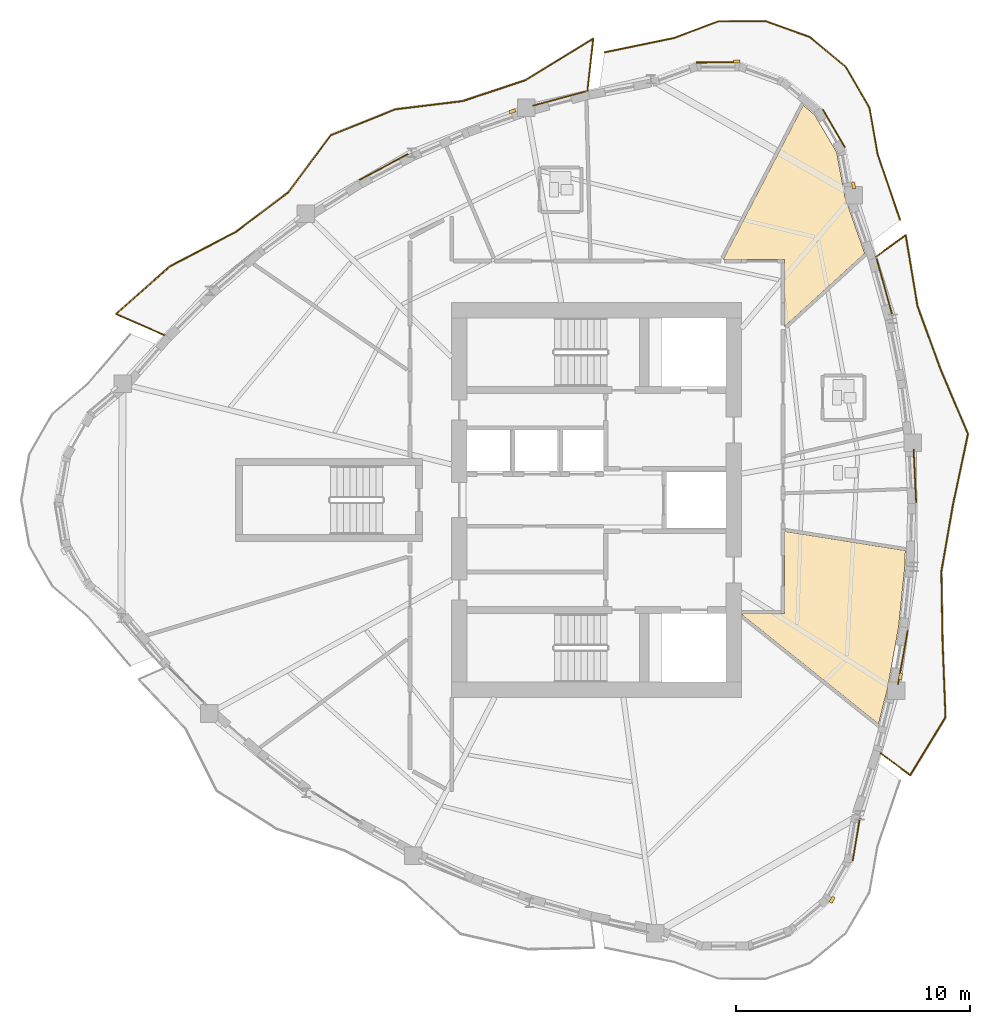
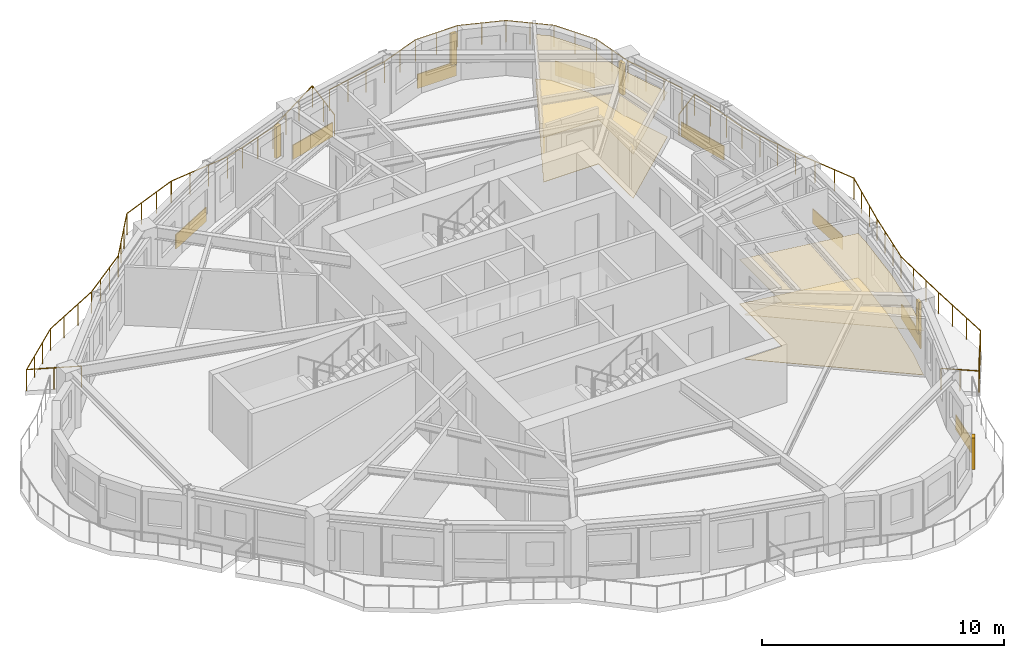
# One storey, part 12 of 13: 12 coverings, 5 shading devices, 3 railings.
"""IFC4 building model written with IfcOpenShell, lengths in metres."""

from ifc_helpers import new_model, si_unit, direction, frame, origin, origin_2d, place, context, subcontext, project, spatial, polyline, rectangle, circle, outline, extrude, source, transform, mapped, material, layer, layer_set, type_object, element, save


model = new_model("IFC4")

# Units and contexts
model_context = context("Model", 3, precision=1e-05, world=origin(), true_north=direction((0.0, 1.0)))
body_context = subcontext(model_context, "Body", "Model", "MODEL_VIEW")
ifc_project = project(units=[si_unit("LENGTHUNIT", "METRE"), si_unit("AREAUNIT", "SQUARE_METRE"), si_unit("VOLUMEUNIT", "CUBIC_METRE"), si_unit("PLANEANGLEUNIT", "RADIAN"), si_unit("MASSUNIT", "GRAM", prefix="KILO")], contexts=[model_context])

# Site, building, storey
site_placement = place(None, origin())
site = spatial("IfcSite", under=ifc_project, at=site_placement, CompositionType="ELEMENT")
building_placement = place(site_placement, origin())
building = spatial("IfcBuilding", under=site, at=building_placement, Name="Qafzar Sky-Pleat Residences", CompositionType="ELEMENT")
storey_placement = place(building_placement, frame((0.0, 0.0, 133.0)))
storey = spatial("IfcBuildingStorey", under=building, at=storey_placement, Name="L39", CompositionType="ELEMENT", Elevation=133.0)

# Coverings
ifc_material_1 = material(Name="Perforated acoustic gypsum board ceiling")
ifc_layer_1 = layer(ifc_material_1, 0.02001953125)
ifc_layer_set_1 = layer_set([ifc_layer_1], Name="Perforated acoustic gypsum board ceiling")
covering_type_1 = type_object("IfcCoveringType", Name="COV-CEIL-ACOUSTIC", PredefinedType="CEILING", material=ifc_layer_set_1)
covering_1_placement = place(storey_placement, frame((0.0, 0.0, 2.239990234375)))
element("IfcCovering", 1, at=covering_1_placement, inside=storey, type_object=covering_type_1, Name="L39 Co-Living Lounge Acoustic Ceiling", PredefinedType="CEILING", context=body_context, shape_type="SweptSolid", body=[
    extrude(outline(polyline([(43.5498046875, 23.17431640625), (43.27587890625, 20.546142578125), (42.80224609375, 17.91552734375), (42.419189453125, 16.41748046875), (36.610107421875, 21.066650390625), (36.610107421875, 21.139892578125), (38.389892578125, 21.139892578125), (38.389892578125, 24.65966796875), (43.568603515625, 23.835205078125), (43.5498046875, 23.17431640625)])), origin(), (0.0, 0.0, 1.0), 0.02001953125),
])
covering_2_placement = place(storey_placement, frame((0.0, 0.0, 2.239990234375)))
element("IfcCovering", 2, at=covering_2_placement, inside=storey, type_object=covering_type_1, Name="L39 Communal Kitchen Acoustic Ceiling", PredefinedType="CEILING", context=body_context, shape_type="SweptSolid", body=[
    extrude(outline(polyline([(39.68310546875, 42.493896484375), (40.62890625, 40.8828125), (40.98779296875, 38.948486328125), (41.8310546875, 36.55810546875), (38.389892578125, 33.41796875), (38.389892578125, 36.2900390625), (35.768310546875, 36.2900390625), (39.201904296875, 42.893310546875), (39.68310546875, 42.493896484375)])), origin(), (0.0, 0.0, 1.0), 0.02001953125),
])
ifc_material_2 = material(Name="Honed porcelain and Riyadh stone tile flooring", Category="masonry")
ifc_layer_2 = layer(ifc_material_2, 0.02001953125)
ifc_layer_set_2 = layer_set([ifc_layer_2], Name="Honed porcelain and Riyadh stone tile flooring")
covering_type_2 = type_object("IfcCoveringType", Name="COV-FLR-PORCELAIN", PredefinedType="FLOORING", material=ifc_layer_set_2)
covering_3_placement = place(storey_placement, origin())
element("IfcCovering", 3, at=covering_3_placement, inside=storey, type_object=covering_type_2, Name="L39 Co-Living Lounge Honed Stone Flooring", PredefinedType="FLOORING", context=body_context, shape_type="SweptSolid", body=[
    extrude(outline(polyline([(43.5498046875, 23.17431640625), (43.27587890625, 20.546142578125), (42.80224609375, 17.91552734375), (42.419189453125, 16.41748046875), (36.610107421875, 21.066650390625), (36.610107421875, 21.139892578125), (38.389892578125, 21.139892578125), (38.389892578125, 24.65966796875), (43.568603515625, 23.835205078125), (43.5498046875, 23.17431640625)])), origin(), (0.0, 0.0, 1.0), 0.02001953125),
])
covering_4_placement = place(storey_placement, origin())
element("IfcCovering", 4, at=covering_4_placement, inside=storey, type_object=covering_type_2, Name="L39 Communal Kitchen Honed Stone Flooring", PredefinedType="FLOORING", context=body_context, shape_type="SweptSolid", body=[
    extrude(outline(polyline([(39.68310546875, 42.493896484375), (40.62890625, 40.8828125), (40.98779296875, 38.948486328125), (41.8310546875, 36.55810546875), (38.389892578125, 33.41796875), (38.389892578125, 36.2900390625), (35.768310546875, 36.2900390625), (39.201904296875, 42.893310546875), (39.68310546875, 42.493896484375)])), origin(), (0.0, 0.0, 1.0), 0.02001953125),
])

# Shading devices
ifc_material_3 = material(Name="Honed Riyadh limestone solar fin", Category="masonry")
ifc_layer_3 = layer(ifc_material_3, 0.139892578125)
ifc_layer_set_3 = layer_set([ifc_layer_3], Name="Honed Riyadh limestone solar fin")
shading_device_type = type_object("IfcShadingDeviceType", Name="SHD-FIN-STONE", PredefinedType="SHUTTER", material=ifc_layer_set_3)
shared_shape_1 = source(origin(), body_context, "Body", "SweptSolid", [
    extrude(rectangle(XDim=0.139892578125, YDim=0.280029296875, at=origin_2d()), origin(), (0.0, 0.0, 1.0), 1.60009765625),
])
for number, where, z_axis, x_axis, name in (
    (5, (40.4375, 8.890380859375, 0.599853515625), (0.0, 0.0, 1.0), (0.868430786621, -0.495810416236, 0.0), "L39 Limestone Solar Fin 21"),
    (6, (43.360595703125, 18.4482421875, 0.599853515625), (0.0, 0.0, 1.0), (0.98417699891, -0.177188133958, 0.0), "L39 Limestone Solar Fin 25"),
    (7, (41.35400390625, 39.468505859375, 0.599853515625), (0.0, 0.0, 1.0), (0.983238323882, 0.182324980325, 0.0), "L39 Limestone Solar Fin 33"),
    (8, (36.35693359375, 44.7734375, 0.599853515625), (0.0, 0.0, 1.0), (-0.002443761091, 0.999997014011, 0.0), "L39 Limestone Solar Fin 37"),
    (9, (26.750244140625, 42.639892578125, 0.599853515625), (0.0, 0.0, 1.0), (-0.329555550412, 0.944136186783, 0.0), "L39 Limestone Solar Fin 41"),
):
    element("IfcShadingDevice", number, at=place(storey_placement, frame(where, z_axis=z_axis, x_axis=x_axis)), inside=storey, type_object=shading_device_type, Name=name, PredefinedType="SHUTTER", context=body_context, shape_type="MappedRepresentation", body=[
        mapped(shared_shape_1, transform((0.0, 0.0, 0.0), x_axis=(1.0, 0.0, 0.0), y_axis=(0.0, 1.0, 0.0), z_axis=(0.0, 0.0, 1.0), scale=1.0)),
    ])

# Railings
ifc_material_4 = material(Name="Laminated glass and bronze steel balustrade", Category="steel")
railing_type = type_object("IfcRailingType", Name="RAIL-BAL-1100", PredefinedType="BALUSTRADE", material=ifc_material_4)
shared_shape_2 = source(origin(), body_context, "Body", "SweptSolid", [
    extrude(circle(Radius=0.02392578125, at=origin_2d()), frame((0.0, 0.0, 1.076171875), z_axis=(0.801353404817, -0.598191207381, 0.0), x_axis=(0.598191207381, 0.801353404817, 0.0)), (0.0, 0.0, 1.0), 1.577880859375),
    extrude(circle(Radius=0.02392578125, at=origin_2d()), frame((1.264404296875, -0.94384765625, 1.076171875), z_axis=(0.520405615074, 0.853919197465, 0.0), x_axis=(-0.853919197465, 0.520405615074, 0.0)), (0.0, 0.0, 1.0), 2.904052734375),
    extrude(circle(Radius=0.02392578125, at=origin_2d()), frame((2.775634765625, 1.535888671875, 1.076171875), z_axis=(-0.038645555912, 0.999252981486, 0.0), x_axis=(-0.999252981486, -0.038645555912, 0.0)), (0.0, 0.0, 1.0), 3.26611328125),
    extrude(circle(Radius=0.02392578125, at=origin_2d()), frame((2.6494140625, 4.799560546875, 1.076171875), z_axis=(-0.017312356591, 0.999850129924, 0.0), x_axis=(-0.999850129924, -0.017312356591, 0.0)), (0.0, 0.0, 1.0), 2.9755859375),
    extrude(circle(Radius=0.02392578125, at=origin_2d()), frame((2.597900390625, 7.774658203125, 1.076171875), z_axis=(0.171045008682, 0.985263216103, 0.0), x_axis=(-0.985263216103, 0.171045008682, 0.0)), (0.0, 0.0, 1.0), 2.887451171875),
    extrude(circle(Radius=0.02392578125, at=origin_2d()), frame((3.091796875, 10.61962890625, 1.076171875), z_axis=(0.207848413756, 0.978161048549, 0.0), x_axis=(-0.978161048549, 0.207848413756, 0.0)), (0.0, 0.0, 1.0), 3.105712890625),
    extrude(circle(Radius=0.02392578125, at=origin_2d()), frame((3.7373046875, 13.657470703125, 1.076171875), z_axis=(-0.390327818076, 0.920675944313, 0.0), x_axis=(-0.920675944313, -0.390327818076, 0.0)), (0.0, 0.0, 1.0), 3.021728515625),
    extrude(circle(Radius=0.02392578125, at=origin_2d()), frame((2.557861328125, 16.439453125, 1.076171875), z_axis=(-0.342193439996, 0.939629527858, 0.0), x_axis=(-0.939629527858, -0.342193439996, 0.0)), (0.0, 0.0, 1.0), 2.872314453125),
    extrude(circle(Radius=0.02392578125, at=origin_2d()), frame((1.574951171875, 19.138427734375, 1.076171875), z_axis=(-0.163447252844, 0.986552074418, 0.0), x_axis=(-0.986552074418, -0.163447252844, 0.0)), (0.0, 0.0, 1.0), 3.07861328125),
    extrude(circle(Radius=0.02392578125, at=origin_2d()), frame((1.07177734375, 22.175537109375, 1.076171875), z_axis=(-0.808622343014, -0.588328060165, 0.0), x_axis=(0.588328060165, -0.808622343014, 0.0)), (0.0, 0.0, 1.0), 1.578125),
    extrude(circle(Radius=0.02099609375, at=origin_2d()), origin(), (0.0, 0.0, 1.0), 1.052001953125),
    extrude(circle(Radius=0.02099609375, at=origin_2d()), frame((0.63232421875, -0.471923828125, 0.0)), (0.0, 0.0, 1.0), 1.052001953125),
    extrude(circle(Radius=0.02099609375, at=origin_2d()), frame((1.264404296875, -0.94384765625, 0.0)), (0.0, 0.0, 1.0), 1.052001953125),
    extrude(circle(Radius=0.02099609375, at=origin_2d()), frame((1.76806640625, -0.1171875, 0.0)), (0.0, 0.0, 1.0), 1.052001953125),
    extrude(circle(Radius=0.02099609375, at=origin_2d()), frame((2.27197265625, 0.709228515625, 0.0)), (0.0, 0.0, 1.0), 1.052001953125),
    extrude(circle(Radius=0.02099609375, at=origin_2d()), frame((2.775634765625, 1.535888671875, 0.0)), (0.0, 0.0, 1.0), 1.052001953125),
    extrude(circle(Radius=0.02099609375, at=origin_2d()), frame((2.733642578125, 2.623779296875, 0.0)), (0.0, 0.0, 1.0), 1.052001953125),
    extrude(circle(Radius=0.02099609375, at=origin_2d()), frame((2.69140625, 3.711669921875, 0.0)), (0.0, 0.0, 1.0), 1.052001953125),
    extrude(circle(Radius=0.02099609375, at=origin_2d()), frame((2.6494140625, 4.799560546875, 0.0)), (0.0, 0.0, 1.0), 1.052001953125),
    extrude(circle(Radius=0.02099609375, at=origin_2d()), frame((2.63232421875, 5.791259765625, 0.0)), (0.0, 0.0, 1.0), 1.052001953125),
    extrude(circle(Radius=0.02099609375, at=origin_2d()), frame((2.614990234375, 6.782958984375, 0.0)), (0.0, 0.0, 1.0), 1.052001953125),
    extrude(circle(Radius=0.02099609375, at=origin_2d()), frame((2.597900390625, 7.774658203125, 0.0)), (0.0, 0.0, 1.0), 1.052001953125),
    extrude(circle(Radius=0.02099609375, at=origin_2d()), frame((2.762451171875, 8.722900390625, 0.0)), (0.0, 0.0, 1.0), 1.052001953125),
    extrude(circle(Radius=0.02099609375, at=origin_2d()), frame((2.92724609375, 9.67138671875, 0.0)), (0.0, 0.0, 1.0), 1.052001953125),
    extrude(circle(Radius=0.02099609375, at=origin_2d()), frame((3.091796875, 10.61962890625, 0.0)), (0.0, 0.0, 1.0), 1.052001953125),
    extrude(circle(Radius=0.02099609375, at=origin_2d()), frame((3.306884765625, 11.63232421875, 0.0)), (0.0, 0.0, 1.0), 1.052001953125),
    extrude(circle(Radius=0.02099609375, at=origin_2d()), frame((3.522216796875, 12.644775390625, 0.0)), (0.0, 0.0, 1.0), 1.052001953125),
    extrude(circle(Radius=0.02099609375, at=origin_2d()), frame((3.7373046875, 13.657470703125, 0.0)), (0.0, 0.0, 1.0), 1.052001953125),
    extrude(circle(Radius=0.02099609375, at=origin_2d()), frame((3.34423828125, 14.584716796875, 0.0)), (0.0, 0.0, 1.0), 1.052001953125),
    extrude(circle(Radius=0.02099609375, at=origin_2d()), frame((2.950927734375, 15.51220703125, 0.0)), (0.0, 0.0, 1.0), 1.052001953125),
    extrude(circle(Radius=0.02099609375, at=origin_2d()), frame((2.557861328125, 16.439453125, 0.0)), (0.0, 0.0, 1.0), 1.052001953125),
    extrude(circle(Radius=0.02099609375, at=origin_2d()), frame((2.230224609375, 17.339111328125, 0.0)), (0.0, 0.0, 1.0), 1.052001953125),
    extrude(circle(Radius=0.02099609375, at=origin_2d()), frame((1.902587890625, 18.23876953125, 0.0)), (0.0, 0.0, 1.0), 1.052001953125),
    extrude(circle(Radius=0.02099609375, at=origin_2d()), frame((1.574951171875, 19.138427734375, 0.0)), (0.0, 0.0, 1.0), 1.052001953125),
    extrude(circle(Radius=0.02099609375, at=origin_2d()), frame((1.4072265625, 20.15087890625, 0.0)), (0.0, 0.0, 1.0), 1.052001953125),
    extrude(circle(Radius=0.02099609375, at=origin_2d()), frame((1.239501953125, 21.1630859375, 0.0)), (0.0, 0.0, 1.0), 1.052001953125),
    extrude(circle(Radius=0.02099609375, at=origin_2d()), frame((1.07177734375, 22.175537109375, 0.0)), (0.0, 0.0, 1.0), 1.052001953125),
    extrude(circle(Radius=0.02099609375, at=origin_2d()), frame((0.43359375, 21.71142578125, 0.0)), (0.0, 0.0, 1.0), 1.052001953125),
    extrude(circle(Radius=0.02099609375, at=origin_2d()), frame((-0.204345703125, 21.2470703125, 0.0)), (0.0, 0.0, 1.0), 1.052001953125),
])
railing_1_placement = place(storey_placement, frame((42.512939453125, 15.164306640625, 0.0)))
element("IfcRailing", 10, at=railing_1_placement, inside=storey, type_object=railing_type, Name="L39 Pleated Balcony 1 Balustrade", PredefinedType="BALUSTRADE", context=body_context, shape_type="MappedRepresentation", body=[
    mapped(shared_shape_2, transform((0.0, 0.0, 0.0), x_axis=(1.0, 0.0, 0.0), y_axis=(0.0, 1.0, 0.0), z_axis=(0.0, 0.0, 1.0), scale=1.0)),
])
shared_shape_3 = source(origin(), body_context, "Body", "SweptSolid", [
    extrude(circle(Radius=0.02392578125, at=origin_2d()), frame((0.0, 0.0, 1.076171875), z_axis=(0.111375424683, 0.993778403255, 0.0), x_axis=(-0.993778403255, 0.111375424683, 0.0)), (0.0, 0.0, 1.0), 2.27099609375),
    extrude(circle(Radius=0.02392578125, at=origin_2d()), frame((0.2529296875, 2.2568359375, 1.076171875), z_axis=(-0.852424246602, -0.52285074716, 0.0), x_axis=(0.52285074716, -0.852424246602, 0.0)), (0.0, 0.0, 1.0), 3.41064453125),
    extrude(circle(Radius=0.02392578125, at=origin_2d()), frame((-2.654296875, 0.4736328125, 1.076171875), z_axis=(-0.948743463962, -0.316047211013, 0.0), x_axis=(0.316047211013, -0.948743463962, 0.0)), (0.0, 0.0, 1.0), 2.839599609375),
    extrude(circle(Radius=0.02392578125, at=origin_2d()), frame((-5.348388671875, -0.423828125, 1.076171875), z_axis=(-0.99263797052, -0.12111919535, 0.0), x_axis=(0.12111919535, -0.99263797052, 0.0)), (0.0, 0.0, 1.0), 2.896484375),
    extrude(circle(Radius=0.02392578125, at=origin_2d()), frame((-8.2236328125, -0.774658203125, 1.076171875), z_axis=(-0.92795936646, -0.372681384295, 0.0), x_axis=(0.372681384295, -0.92795936646, 0.0)), (0.0, 0.0, 1.0), 2.966796875),
    extrude(circle(Radius=0.02392578125, at=origin_2d()), frame((-10.976806640625, -1.88037109375, 1.076171875), z_axis=(-0.59768284632, -0.801732633248, 0.0), x_axis=(0.801732633248, -0.59768284632, 0.0)), (0.0, 0.0, 1.0), 3.0546875),
    extrude(circle(Radius=0.02392578125, at=origin_2d()), frame((-12.802490234375, -4.329345703125, 1.076171875), z_axis=(-0.798375377885, -0.602160075052, 0.0), x_axis=(0.602160075052, -0.798375377885, 0.0)), (0.0, 0.0, 1.0), 2.818115234375),
    extrude(circle(Radius=0.02392578125, at=origin_2d()), frame((-15.052490234375, -6.0263671875, 1.076171875), z_axis=(-0.887009097879, -0.461751946699, 0.0), x_axis=(0.461751946699, -0.887009097879, 0.0)), (0.0, 0.0, 1.0), 3.157470703125),
    extrude(circle(Radius=0.02392578125, at=origin_2d()), frame((-17.853271484375, -7.484375, 1.076171875), z_axis=(-0.749149940714, -0.662400457676, 0.0), x_axis=(0.662400457676, -0.749149940714, 0.0)), (0.0, 0.0, 1.0), 3.0986328125),
    extrude(circle(Radius=0.02392578125, at=origin_2d()), frame((-20.174560546875, -9.536865234375, 1.076171875), z_axis=(0.916307784316, -0.400474773739, 0.0), x_axis=(0.400474773739, 0.916307784316, 0.0)), (0.0, 0.0, 1.0), 2.270751953125),
    extrude(circle(Radius=0.02099609375, at=origin_2d()), origin(), (0.0, 0.0, 1.0), 1.052001953125),
    extrude(circle(Radius=0.02099609375, at=origin_2d()), frame((0.12646484375, 1.12841796875, 0.0)), (0.0, 0.0, 1.0), 1.052001953125),
    extrude(circle(Radius=0.02099609375, at=origin_2d()), frame((0.2529296875, 2.2568359375, 0.0)), (0.0, 0.0, 1.0), 1.052001953125),
    extrude(circle(Radius=0.02099609375, at=origin_2d()), frame((-0.716064453125, 1.662353515625, 0.0)), (0.0, 0.0, 1.0), 1.052001953125),
    extrude(circle(Radius=0.02099609375, at=origin_2d()), frame((-1.685302734375, 1.068115234375, 0.0)), (0.0, 0.0, 1.0), 1.052001953125),
    extrude(circle(Radius=0.02099609375, at=origin_2d()), frame((-2.654296875, 0.4736328125, 0.0)), (0.0, 0.0, 1.0), 1.052001953125),
    extrude(circle(Radius=0.02099609375, at=origin_2d()), frame((-3.55224609375, 0.174560546875, 0.0)), (0.0, 0.0, 1.0), 1.052001953125),
    extrude(circle(Radius=0.02099609375, at=origin_2d()), frame((-4.450439453125, -0.124755859375, 0.0)), (0.0, 0.0, 1.0), 1.052001953125),
    extrude(circle(Radius=0.02099609375, at=origin_2d()), frame((-5.348388671875, -0.423828125, 0.0)), (0.0, 0.0, 1.0), 1.052001953125),
    extrude(circle(Radius=0.02099609375, at=origin_2d()), frame((-6.306884765625, -0.540771484375, 0.0)), (0.0, 0.0, 1.0), 1.052001953125),
    extrude(circle(Radius=0.02099609375, at=origin_2d()), frame((-7.26513671875, -0.65771484375, 0.0)), (0.0, 0.0, 1.0), 1.052001953125),
    extrude(circle(Radius=0.02099609375, at=origin_2d()), frame((-8.2236328125, -0.774658203125, 0.0)), (0.0, 0.0, 1.0), 1.052001953125),
    extrude(circle(Radius=0.02099609375, at=origin_2d()), frame((-9.141357421875, -1.143310546875, 0.0)), (0.0, 0.0, 1.0), 1.052001953125),
    extrude(circle(Radius=0.02099609375, at=origin_2d()), frame((-10.05908203125, -1.51171875, 0.0)), (0.0, 0.0, 1.0), 1.052001953125),
    extrude(circle(Radius=0.02099609375, at=origin_2d()), frame((-10.976806640625, -1.88037109375, 0.0)), (0.0, 0.0, 1.0), 1.052001953125),
    extrude(circle(Radius=0.02099609375, at=origin_2d()), frame((-11.58544921875, -2.69677734375, 0.0)), (0.0, 0.0, 1.0), 1.052001953125),
    extrude(circle(Radius=0.02099609375, at=origin_2d()), frame((-12.19384765625, -3.512939453125, 0.0)), (0.0, 0.0, 1.0), 1.052001953125),
    extrude(circle(Radius=0.02099609375, at=origin_2d()), frame((-12.802490234375, -4.329345703125, 0.0)), (0.0, 0.0, 1.0), 1.052001953125),
    extrude(circle(Radius=0.02099609375, at=origin_2d()), frame((-13.552490234375, -4.89501953125, 0.0)), (0.0, 0.0, 1.0), 1.052001953125),
    extrude(circle(Radius=0.02099609375, at=origin_2d()), frame((-14.302490234375, -5.460693359375, 0.0)), (0.0, 0.0, 1.0), 1.052001953125),
    extrude(circle(Radius=0.02099609375, at=origin_2d()), frame((-15.052490234375, -6.0263671875, 0.0)), (0.0, 0.0, 1.0), 1.052001953125),
    extrude(circle(Radius=0.02099609375, at=origin_2d()), frame((-15.986083984375, -6.512451171875, 0.0)), (0.0, 0.0, 1.0), 1.052001953125),
    extrude(circle(Radius=0.02099609375, at=origin_2d()), frame((-16.919677734375, -6.998291015625, 0.0)), (0.0, 0.0, 1.0), 1.052001953125),
    extrude(circle(Radius=0.02099609375, at=origin_2d()), frame((-17.853271484375, -7.484375, 0.0)), (0.0, 0.0, 1.0), 1.052001953125),
    extrude(circle(Radius=0.02099609375, at=origin_2d()), frame((-18.626953125, -8.16845703125, 0.0)), (0.0, 0.0, 1.0), 1.052001953125),
    extrude(circle(Radius=0.02099609375, at=origin_2d()), frame((-19.40087890625, -8.852783203125, 0.0)), (0.0, 0.0, 1.0), 1.052001953125),
    extrude(circle(Radius=0.02099609375, at=origin_2d()), frame((-20.174560546875, -9.536865234375, 0.0)), (0.0, 0.0, 1.0), 1.052001953125),
    extrude(circle(Radius=0.02099609375, at=origin_2d()), frame((-19.13427734375, -9.99169921875, 0.0)), (0.0, 0.0, 1.0), 1.052001953125),
    extrude(circle(Radius=0.02099609375, at=origin_2d()), frame((-18.09375, -10.4462890625, 0.0)), (0.0, 0.0, 1.0), 1.052001953125),
])
railing_2_placement = place(storey_placement, frame((29.960693359375, 43.49658203125, 0.0)))
element("IfcRailing", 11, at=railing_2_placement, inside=storey, type_object=railing_type, Name="L39 Pleated Balcony 2 Balustrade", PredefinedType="BALUSTRADE", context=body_context, shape_type="MappedRepresentation", body=[
    mapped(shared_shape_3, transform((0.0, 0.0, 0.0), x_axis=(1.0, 0.0, 0.0), y_axis=(0.0, 1.0, 0.0), z_axis=(0.0, 0.0, 1.0), scale=1.0)),
])
shared_shape_4 = source(origin(), body_context, "Body", "SweptSolid", [
    extrude(circle(Radius=0.02392578125, at=origin_2d()), frame((0.0, 0.0, 1.076171875), z_axis=(0.9792427928, 0.202690781116, 0.0), x_axis=(-0.202690781116, 0.9792427928, 0.0)), (0.0, 0.0, 1.0), 3.032958984375),
    extrude(circle(Radius=0.02392578125, at=origin_2d()), frame((2.969970703125, 0.61474609375, 1.076171875), z_axis=(0.936349041893, 0.351070465501, 0.0), x_axis=(-0.351070465501, 0.936349041893, 0.0)), (0.0, 0.0, 1.0), 2.020263671875),
    extrude(circle(Radius=0.02392578125, at=origin_2d()), frame((4.861572265625, 1.323974609375, 1.076171875), z_axis=(0.999970985093, 0.007617674977, 0.0), x_axis=(-0.007617674977, 0.999970985093, 0.0)), (0.0, 0.0, 1.0), 2.01904296875),
    extrude(circle(Radius=0.02392578125, at=origin_2d()), frame((6.880615234375, 1.33935546875, 1.076171875), z_axis=(0.941615983552, -0.336688787337, 0.0), x_axis=(0.336688787337, 0.941615983552, 0.0)), (0.0, 0.0, 1.0), 2.018798828125),
    extrude(circle(Radius=0.02392578125, at=origin_2d()), frame((8.781494140625, 0.65966796875, 1.076171875), z_axis=(0.768290663171, -0.640101130201, 0.0), x_axis=(0.640101130201, 0.768290663171, 0.0)), (0.0, 0.0, 1.0), 2.018798828125),
    extrude(circle(Radius=0.02392578125, at=origin_2d()), frame((10.33251953125, -0.632568359375, 1.076171875), z_axis=(0.501312693302, -0.865266192298, 0.0), x_axis=(0.865266192298, 0.501312693302, 0.0)), (0.0, 0.0, 1.0), 2.01904296875),
    extrude(circle(Radius=0.02392578125, at=origin_2d()), frame((11.3447265625, -2.379638671875, 1.076171875), z_axis=(0.173309589491, -0.984867395232, 0.0), x_axis=(0.984867395232, 0.173309589491, 0.0)), (0.0, 0.0, 1.0), 2.02001953125),
    extrude(circle(Radius=0.02392578125, at=origin_2d()), frame((11.69482421875, -4.369140625, 1.076171875), z_axis=(0.322722588536, -0.946493597891, 0.0), x_axis=(0.946493597891, 0.322722588536, 0.0)), (0.0, 0.0, 1.0), 2.96240234375),
    extrude(circle(Radius=0.02099609375, at=origin_2d()), origin(), (0.0, 0.0, 1.0), 1.052001953125),
    extrude(circle(Radius=0.02099609375, at=origin_2d()), frame((0.989990234375, 0.204833984375, 0.0)), (0.0, 0.0, 1.0), 1.052001953125),
    extrude(circle(Radius=0.02099609375, at=origin_2d()), frame((1.97998046875, 0.409912109375, 0.0)), (0.0, 0.0, 1.0), 1.052001953125),
    extrude(circle(Radius=0.02099609375, at=origin_2d()), frame((2.969970703125, 0.61474609375, 0.0)), (0.0, 0.0, 1.0), 1.052001953125),
    extrude(circle(Radius=0.02099609375, at=origin_2d()), frame((3.915771484375, 0.96923828125, 0.0)), (0.0, 0.0, 1.0), 1.052001953125),
    extrude(circle(Radius=0.02099609375, at=origin_2d()), frame((4.861572265625, 1.323974609375, 0.0)), (0.0, 0.0, 1.0), 1.052001953125),
    extrude(circle(Radius=0.02099609375, at=origin_2d()), frame((5.87109375, 1.33154296875, 0.0)), (0.0, 0.0, 1.0), 1.052001953125),
    extrude(circle(Radius=0.02099609375, at=origin_2d()), frame((6.880615234375, 1.33935546875, 0.0)), (0.0, 0.0, 1.0), 1.052001953125),
    extrude(circle(Radius=0.02099609375, at=origin_2d()), frame((7.8310546875, 0.99951171875, 0.0)), (0.0, 0.0, 1.0), 1.052001953125),
    extrude(circle(Radius=0.02099609375, at=origin_2d()), frame((8.781494140625, 0.65966796875, 0.0)), (0.0, 0.0, 1.0), 1.052001953125),
    extrude(circle(Radius=0.02099609375, at=origin_2d()), frame((9.55712890625, 0.013671875, 0.0)), (0.0, 0.0, 1.0), 1.052001953125),
    extrude(circle(Radius=0.02099609375, at=origin_2d()), frame((10.33251953125, -0.632568359375, 0.0)), (0.0, 0.0, 1.0), 1.052001953125),
    extrude(circle(Radius=0.02099609375, at=origin_2d()), frame((10.838623046875, -1.506103515625, 0.0)), (0.0, 0.0, 1.0), 1.052001953125),
    extrude(circle(Radius=0.02099609375, at=origin_2d()), frame((11.3447265625, -2.379638671875, 0.0)), (0.0, 0.0, 1.0), 1.052001953125),
    extrude(circle(Radius=0.02099609375, at=origin_2d()), frame((11.519775390625, -3.37451171875, 0.0)), (0.0, 0.0, 1.0), 1.052001953125),
    extrude(circle(Radius=0.02099609375, at=origin_2d()), frame((11.69482421875, -4.369140625, 0.0)), (0.0, 0.0, 1.0), 1.052001953125),
    extrude(circle(Radius=0.02099609375, at=origin_2d()), frame((12.013427734375, -5.3037109375, 0.0)), (0.0, 0.0, 1.0), 1.052001953125),
    extrude(circle(Radius=0.02099609375, at=origin_2d()), frame((12.332275390625, -6.238525390625, 0.0)), (0.0, 0.0, 1.0), 1.052001953125),
    extrude(circle(Radius=0.02099609375, at=origin_2d()), frame((12.65087890625, -7.173095703125, 0.0)), (0.0, 0.0, 1.0), 1.052001953125),
])
railing_3_placement = place(storey_placement, frame((30.69287109375, 45.160888671875, 0.0)))
element("IfcRailing", 12, at=railing_3_placement, inside=storey, type_object=railing_type, Name="L39 Corner Terrace 2 Balustrade", PredefinedType="BALUSTRADE", context=body_context, shape_type="MappedRepresentation", body=[
    mapped(shared_shape_4, transform((0.0, 0.0, 0.0), x_axis=(1.0, 0.0, 0.0), y_axis=(0.0, 1.0, 0.0), z_axis=(0.0, 0.0, 1.0), scale=1.0)),
])

# Coverings
ifc_material_5 = material(Name="Honed Riyadh Tuwaiq limestone cladding", Category="masonry")
ifc_layer_4 = layer(ifc_material_5, 0.044921875)
ifc_layer_set_4 = layer_set([ifc_layer_4], Name="Honed Riyadh Tuwaiq limestone cladding")
covering_type_3 = type_object("IfcCoveringType", Name="COV-CLAD-STONE", PredefinedType="CLADDING", material=ifc_layer_set_4)
shared_shape_5 = source(origin(), body_context, "Body", "SweptSolid", [
    extrude(rectangle(XDim=1.873046875, YDim=0.044921875, at=origin_2d()), origin(), (0.0, 0.0, 1.0), 0.719970703125),
])
for number, where, z_axis, x_axis, name in (
    (13, (40.511474609375, 41.89697265625, 0.02001953125), (0.0, 0.0, 1.0), (-0.50623242321, 0.862397085855, 0.0), "L39 Riyadh Limestone Spandrel Cladding 34"),
    (14, (35.552001953125, 44.728515625, 0.02001953125), (0.0, 0.0, 1.0), (-0.999996997227, -0.002450619708, 0.0), "L39 Riyadh Limestone Spandrel Cladding 37"),
):
    element("IfcCovering", number, at=place(storey_placement, frame(where, z_axis=z_axis, x_axis=x_axis)), inside=storey, type_object=covering_type_3, Name=name, PredefinedType="CLADDING", context=body_context, shape_type="MappedRepresentation", body=[
        mapped(shared_shape_5, transform((0.0, 0.0, 0.0), x_axis=(1.0, 0.0, 0.0), y_axis=(0.0, 1.0, 0.0), z_axis=(0.0, 0.0, 1.0), scale=1.0)),
    ])
shared_shape_6 = source(origin(), body_context, "Body", "SweptSolid", [
    extrude(rectangle(XDim=1.845703125, YDim=0.044921875, at=origin_2d()), origin(), (0.0, 0.0, 1.0), 0.719970703125),
])
covering_5_placement = place(storey_placement, frame((41.469482421875, 11.474365234375, 0.02001953125), z_axis=(0.0, 0.0, 1.0), x_axis=(0.165703638035, 0.986175595085, 0.0)))
element("IfcCovering", 15, at=covering_5_placement, inside=storey, type_object=covering_type_3, Name="L39 Riyadh Limestone Spandrel Cladding 22", PredefinedType="CLADDING", context=body_context, shape_type="MappedRepresentation", body=[
    mapped(shared_shape_6, transform((0.0, 0.0, 0.0), x_axis=(1.0, 0.0, 0.0), y_axis=(0.0, 1.0, 0.0), z_axis=(0.0, 0.0, 1.0), scale=1.0)),
])
shared_shape_7 = source(origin(), body_context, "Body", "SweptSolid", [
    extrude(rectangle(XDim=2.326171875, YDim=0.044921875, at=origin_2d()), origin(), (0.0, 0.0, 1.0), 0.719970703125),
])
covering_6_placement = place(storey_placement, frame((43.4619140625, 19.2529296875, 0.02001953125), z_axis=(0.0, 0.0, 1.0), x_axis=(0.177165740364, 0.98418103032, 0.0)))
element("IfcCovering", 16, at=covering_6_placement, inside=storey, type_object=covering_type_3, Name="L39 Riyadh Limestone Spandrel Cladding 25", PredefinedType="CLADDING", context=body_context, shape_type="MappedRepresentation", body=[
    mapped(shared_shape_7, transform((0.0, 0.0, 0.0), x_axis=(1.0, 0.0, 0.0), y_axis=(0.0, 1.0, 0.0), z_axis=(0.0, 0.0, 1.0), scale=1.0)),
])
shared_shape_8 = source(origin(), body_context, "Body", "SweptSolid", [
    extrude(rectangle(XDim=2.28515625, YDim=0.044921875, at=origin_2d()), origin(), (0.0, 0.0, 1.0), 0.719970703125),
])
covering_7_placement = place(storey_placement, frame((43.97802734375, 27.03466796875, 0.02001953125), z_axis=(0.0, 0.0, 1.0), x_axis=(-0.047613798694, 0.998865819905, 0.0)))
element("IfcCovering", 17, at=covering_7_placement, inside=storey, type_object=covering_type_3, Name="L39 Riyadh Limestone Spandrel Cladding 28", PredefinedType="CLADDING", context=body_context, shape_type="MappedRepresentation", body=[
    mapped(shared_shape_8, transform((0.0, 0.0, 0.0), x_axis=(1.0, 0.0, 0.0), y_axis=(0.0, 1.0, 0.0), z_axis=(0.0, 0.0, 1.0), scale=1.0)),
])
shared_shape_9 = source(origin(), body_context, "Body", "SweptSolid", [
    extrude(rectangle(XDim=2.488037109375, YDim=0.044921875, at=origin_2d()), origin(), (0.0, 0.0, 1.0), 0.719970703125),
])
covering_8_placement = place(storey_placement, frame((42.677978515625, 35.114501953125, 0.02001953125), z_axis=(0.0, 0.0, 1.0), x_axis=(-0.266345107922, 0.963877732644, 0.0)))
element("IfcCovering", 18, at=covering_8_placement, inside=storey, type_object=covering_type_3, Name="L39 Riyadh Limestone Spandrel Cladding 31", PredefinedType="CLADDING", context=body_context, shape_type="MappedRepresentation", body=[
    mapped(shared_shape_9, transform((0.0, 0.0, 0.0), x_axis=(1.0, 0.0, 0.0), y_axis=(0.0, 1.0, 0.0), z_axis=(0.0, 0.0, 1.0), scale=1.0)),
])
shared_shape_10 = source(origin(), body_context, "Body", "SweptSolid", [
    extrude(rectangle(XDim=2.3251953125, YDim=0.044921875, at=origin_2d()), origin(), (0.0, 0.0, 1.0), 0.719970703125),
])
covering_9_placement = place(storey_placement, frame((28.7431640625, 43.179443359375, 0.02001953125), z_axis=(0.0, 0.0, 1.0), x_axis=(-0.965454501044, -0.260571691506, 0.0)))
element("IfcCovering", 19, at=covering_9_placement, inside=storey, type_object=covering_type_3, Name="L39 Riyadh Limestone Spandrel Cladding 40", PredefinedType="CLADDING", context=body_context, shape_type="MappedRepresentation", body=[
    mapped(shared_shape_10, transform((0.0, 0.0, 0.0), x_axis=(1.0, 0.0, 0.0), y_axis=(0.0, 1.0, 0.0), z_axis=(0.0, 0.0, 1.0), scale=1.0)),
])
shared_shape_11 = source(origin(), body_context, "Body", "SweptSolid", [
    extrude(rectangle(XDim=2.36669921875, YDim=0.044921875, at=origin_2d()), origin(), (0.0, 0.0, 1.0), 0.719970703125),
])
covering_10_placement = place(storey_placement, frame((21.244384765625, 40.2548828125, 0.02001953125), z_axis=(0.0, 0.0, 1.0), x_axis=(-0.884385624871, -0.466756967299, 0.0)))
element("IfcCovering", 20, at=covering_10_placement, inside=storey, type_object=covering_type_3, Name="L39 Riyadh Limestone Spandrel Cladding 43", PredefinedType="CLADDING", context=body_context, shape_type="MappedRepresentation", body=[
    mapped(shared_shape_11, transform((0.0, 0.0, 0.0), x_axis=(1.0, 0.0, 0.0), y_axis=(0.0, 1.0, 0.0), z_axis=(0.0, 0.0, 1.0), scale=1.0)),
])

save(model, "model.ifc")
